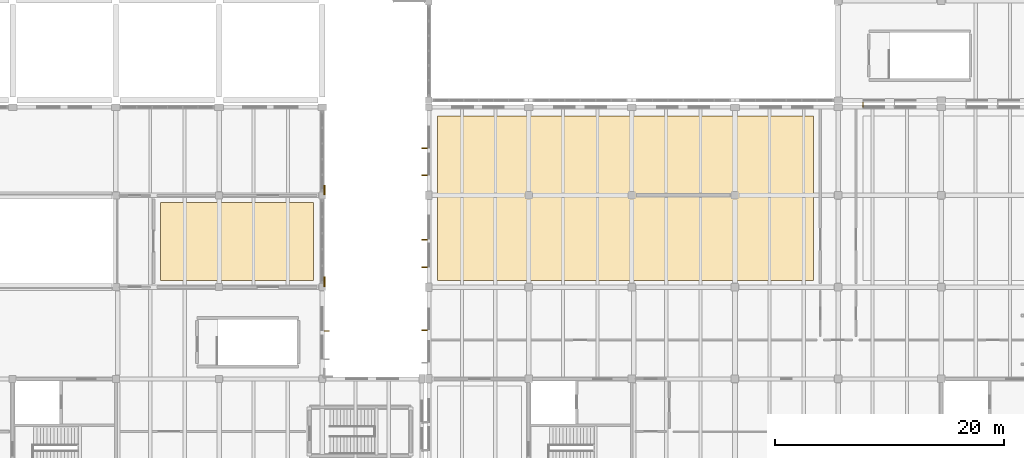
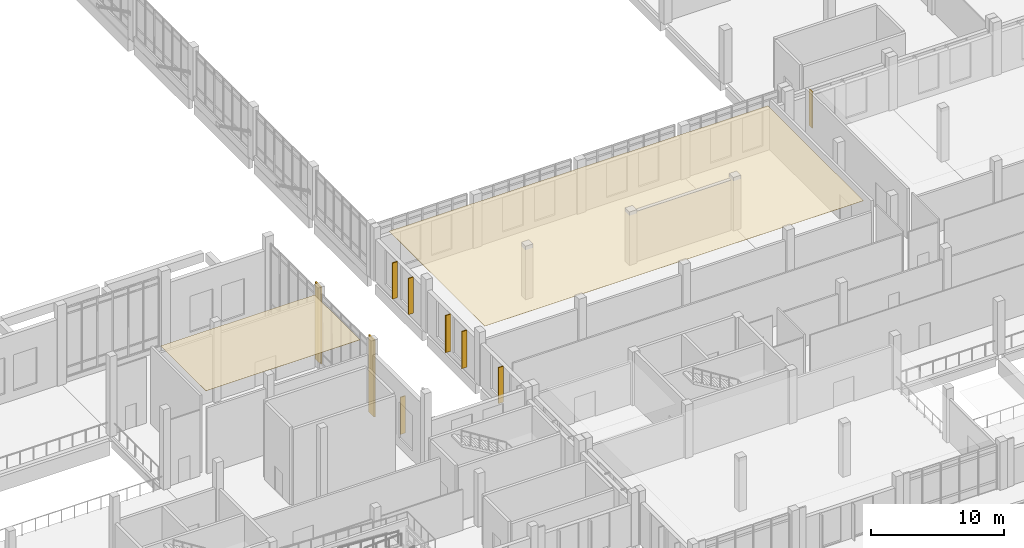
# One storey, part 104 of 110: 7 shading devices, 4 coverings.
"""IFC4 building model written with IfcOpenShell, lengths in metres."""

from ifc_helpers import new_model, si_unit, direction, frame, origin, origin_2d, place, context, subcontext, project, spatial, polyline, rectangle, outline, extrude, material, layer, layer_set, type_object, element, save


model = new_model("IFC4")

# Units and contexts
model_context = context("Model", 3, precision=1e-05, world=origin(), true_north=direction((0.0, 1.0)))
body_context = subcontext(model_context, "Body", "Model", "MODEL_VIEW")
ifc_project = project(units=[si_unit("LENGTHUNIT", "METRE"), si_unit("AREAUNIT", "SQUARE_METRE"), si_unit("VOLUMEUNIT", "CUBIC_METRE"), si_unit("PLANEANGLEUNIT", "RADIAN"), si_unit("MASSUNIT", "GRAM", prefix="KILO")], contexts=[model_context])

# Site, building, storey
site_placement = place(None, origin())
site = spatial("IfcSite", under=ifc_project, at=site_placement, CompositionType="ELEMENT")
building_placement = place(site_placement, origin())
building = spatial("IfcBuilding", under=site, at=building_placement, Name="Zacnel Wholesale Market", CompositionType="ELEMENT")
storey_placement = place(building_placement, frame((0.0, 0.0, 6.300048828125)))
storey = spatial("IfcBuildingStorey", under=building, at=storey_placement, Name="L02", CompositionType="ELEMENT", Elevation=6.300048828125)

# Coverings
ifc_material_1 = material(Name="Micro-perforated acoustic gypsum ceiling")
ifc_layer_1 = layer(ifc_material_1, 0.02001953125)
ifc_layer_set_1 = layer_set([ifc_layer_1], Name="Micro-perforated acoustic gypsum ceiling")
covering_type_1 = type_object("IfcCoveringType", Name="COV-CEIL-AC-20", PredefinedType="CEILING", material=ifc_layer_set_1)
covering_1_placement = place(storey_placement, frame((0.0, 0.0, 7.070068359375)))
element("IfcCovering", 1, at=covering_1_placement, inside=storey, type_object=covering_type_1, Name="Acoustic ceiling L02-204", PredefinedType="CEILING", context=body_context, shape_type="SweptSolid", body=[
    extrude(outline(polyline([(120.89990234375, 32.60009765625), (134.25, 32.60009765625), (134.25, 39.39990234375), (120.89990234375, 39.39990234375), (120.89990234375, 32.60009765625)])), origin(), (0.0, 0.0, 1.0), 0.019775390625),
])
covering_2_placement = place(storey_placement, frame((0.0, 0.0, 4.5400390625)))
element("IfcCovering", 2, at=covering_2_placement, inside=storey, type_object=covering_type_1, Name="Acoustic ceiling L02-510", PredefinedType="CEILING", context=body_context, shape_type="SweptSolid", body=[
    extrude(outline(polyline([(145.050048828125, 32.60009765625), (177.85009765625, 32.60009765625), (177.85009765625, 46.949951171875), (145.050048828125, 46.949951171875), (145.050048828125, 32.60009765625)])), origin(), (0.0, 0.0, 1.0), 0.02001953125),
])
ifc_material_2 = material(Name="Honed Yucatan Maya cream limestone", Category="masonry")
ifc_layer_2 = layer(ifc_material_2, 0.090087890625)
ifc_layer_set_2 = layer_set([ifc_layer_2], Name="Honed Yucatan Maya cream limestone")
covering_type_2 = type_object("IfcCoveringType", Name="COV-CLAD-FRET", PredefinedType="CLADDING", material=ifc_layer_set_2)
for number, where, z_axis, x_axis, name in (
    (3, (135.2099609375, 32.47998046875, 0.02001953125), (0.0, 0.0, 1.0), (0.0, 1.0, 0.0), "Fluted Mayan-Deco limestone pilaster L02-0124"),
    (4, (135.2099609375, 40.47998046875, 0.02001953125), (0.0, 0.0, 1.0), (0.0, 1.0, 0.0), "Fluted Mayan-Deco limestone pilaster L02-0125"),
):
    element("IfcCovering", number, at=place(storey_placement, frame(where, z_axis=z_axis, x_axis=x_axis)), inside=storey, type_object=covering_type_2, Name=name, PredefinedType="CLADDING", context=body_context, shape_type="SweptSolid", body=[
        extrude(rectangle(XDim=0.85009765625, YDim=0.1201171875, at=origin_2d()), origin(), (0.0, 0.0, 1.0), 7.050048828125),
    ])

# Shading devices
ifc_material_3 = material(Name="Honed Yucatan Maya cream limestone", Category="masonry")
shading_device_type = type_object("IfcShadingDeviceType", Name="SHD-FIN-V450", PredefinedType="USERDEFINED", material=ifc_material_3)
shading_device_1_placement = place(storey_placement, frame((135.3798828125, 28.173095703125, 0.800048828125), z_axis=(0.0, 0.0, 1.0), x_axis=(0.0, 1.0, 0.0)))
element("IfcShadingDevice", 5, at=shading_device_1_placement, inside=storey, type_object=shading_device_type, Name="Limestone sunshade fin 0154", ObjectType="SUNSHADE", PredefinedType="USERDEFINED", context=body_context, shape_type="SweptSolid", body=[
    extrude(rectangle(XDim=0.080078125, YDim=0.43994140625, at=origin_2d()), origin(), (0.0, 0.0, 1.0), 3.39990234375),
])
shading_device_2_placement = place(storey_placement, frame((143.919921875, 28.248046875, 0.5849609375), z_axis=(0.0, 0.0, 1.0), x_axis=(0.0, 1.0, 0.0)))
element("IfcShadingDevice", 6, at=shading_device_2_placement, inside=storey, type_object=shading_device_type, Name="Limestone sunshade fin 0170", ObjectType="SUNSHADE", PredefinedType="USERDEFINED", context=body_context, shape_type="SweptSolid", body=[
    extrude(rectangle(XDim=0.080078125, YDim=0.43994140625, at=origin_2d()), origin(), (0.0, 0.0, 1.0), 3.300048828125),
])
for number, where, z_axis, x_axis, name in (
    (7, (143.919921875, 33.73193359375, 0.4599609375), (0.0, 0.0, 1.0), (0.0, 1.0, 0.0), "Limestone sunshade fin 0171"),
    (8, (143.919921875, 36.14794921875, 0.4599609375), (0.0, 0.0, 1.0), (0.0, 1.0, 0.0), "Limestone sunshade fin 0172"),
):
    element("IfcShadingDevice", number, at=place(storey_placement, frame(where, z_axis=z_axis, x_axis=x_axis)), inside=storey, type_object=shading_device_type, Name=name, ObjectType="SUNSHADE", PredefinedType="USERDEFINED", context=body_context, shape_type="SweptSolid", body=[
        extrude(rectangle(XDim=0.080078125, YDim=0.43994140625, at=origin_2d()), origin(), (0.0, 0.0, 1.0), 3.39990234375),
    ])
for number, where, z_axis, x_axis, name in (
    (9, (143.919921875, 41.764892578125, 0.544921875), (0.0, 0.0, 1.0), (0.0, 1.0, 0.0), "Limestone sunshade fin 0173"),
    (10, (143.919921875, 44.114990234375, 0.544921875), (0.0, 0.0, 1.0), (0.0, 1.0, 0.0), "Limestone sunshade fin 0174"),
    (11, (182.1650390625, 47.919921875, 0.53515625), (0.0, 0.0, 1.0), (1.0, 0.0, 0.0), "Limestone sunshade fin 0195"),
):
    element("IfcShadingDevice", number, at=place(storey_placement, frame(where, z_axis=z_axis, x_axis=x_axis)), inside=storey, type_object=shading_device_type, Name=name, ObjectType="SUNSHADE", PredefinedType="USERDEFINED", context=body_context, shape_type="SweptSolid", body=[
        extrude(rectangle(XDim=0.080078125, YDim=0.43994140625, at=origin_2d()), origin(), (0.0, 0.0, 1.0), 3.300048828125),
    ])

save(model, "model.ifc")
